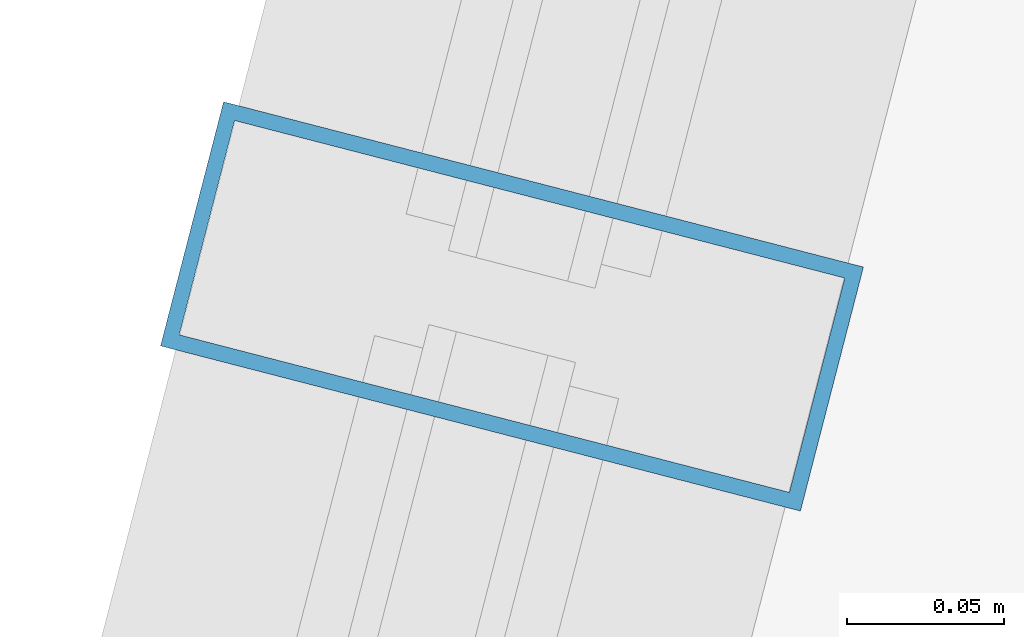
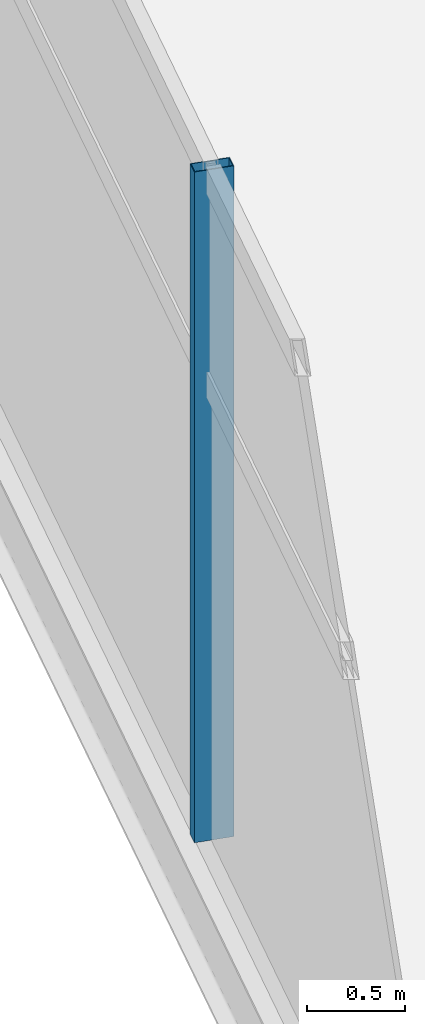
# One storey, part 50 of 184: 1 member, 1 element without a shape of its own.
"""IFC4 building model written with IfcOpenShell, lengths in metres."""

import ifcopenshell
import ifcopenshell.guid

model = None  # the IFC model being written
_history = None  # IfcOwnerHistory: only IFC2X3 demands one
_inside = {}  # id of a spatial element -> (the spatial element, [elements in it])
_under = {}  # id of a project, library or spatial element -> (it, [spatial elements below it])
_declared = {}  # id of a project -> (the project, [libraries it declares])
_typed = {}  # id of a type object -> (the type object, [elements of that type])
_made_of = {}  # id of a material, layer set ... -> (it, [elements and type objects made of it])


def new_model(schema):
    """Start an empty IFC model of exactly this schema.

    Asked for "IFC4X3", IfcOpenShell would pick the latest addendum, in which some entities
    have other attributes; the version numbers below select the first issue.
    IFC2X3 requires an IfcOwnerHistory on every rooted entity: one is made here for all.
    """
    global model, _history
    if schema == "IFC4X3":
        model = ifcopenshell.file(schema_version=(4, 3, 0, 0))
    else:
        model = ifcopenshell.file(schema=schema)
    _inside.clear()
    _under.clear()
    _declared.clear()
    _typed.clear()
    _made_of.clear()
    _history = None
    if model.schema == "IFC2X3":
        org = make("IfcOrganization", Name="unknown")
        user = make(
            "IfcPersonAndOrganization",
            ThePerson=make("IfcPerson", FamilyName="unknown"),
            TheOrganization=org,
        )
        app = make(
            "IfcApplication",
            ApplicationDeveloper=org,
            Version="unknown",
            ApplicationFullName="unknown",
            ApplicationIdentifier="unknown",
        )
        _history = make(
            "IfcOwnerHistory",
            OwningUser=user,
            OwningApplication=app,
            ChangeAction="ADDED",
            CreationDate=0,
        )
    return model


def make(cls, **values):
    """One entity of the class cls with the attributes given. An attribute that is None is left unset."""
    return model.create_entity(
        cls, **{name: value for name, value in values.items() if value is not None}
    )


def rooted(cls, **values):
    """An entity with a GlobalId (a new one), such as an element, a storey or a relation."""
    return make(cls, GlobalId=ifcopenshell.guid.new(), OwnerHistory=_history, **values)


def si_unit(unit_type, name, prefix=None):
    """IfcSIUnit, for example si_unit("LENGTHUNIT", "METRE", prefix="MILLI")."""
    return make("IfcSIUnit", UnitType=unit_type, Prefix=prefix, Name=name)


def assignment(units):
    """IfcUnitAssignment: the units of a project."""
    return None if units is None else make("IfcUnitAssignment", Units=units)


def point(xyz):
    """IfcCartesianPoint."""
    return None if xyz is None else make("IfcCartesianPoint", Coordinates=xyz)


def direction(xyz):
    """IfcDirection."""
    return None if xyz is None else make("IfcDirection", DirectionRatios=xyz)


def frame(location, z_axis=None, x_axis=None):
    """IfcAxis2Placement3D, a coordinate frame: its origin and axes. An axis left out is left unset."""
    return make(
        "IfcAxis2Placement3D",
        Location=point(location),
        Axis=direction(z_axis),
        RefDirection=direction(x_axis),
    )


def frame_2d(location, x_axis=None):
    """IfcAxis2Placement2D, a coordinate frame in the plane: its origin and x axis."""
    return make(
        "IfcAxis2Placement2D", Location=point(location), RefDirection=direction(x_axis)
    )


def origin():
    """The frame at (0, 0, 0) with its axes left unset."""
    return frame((0.0, 0.0, 0.0))


def origin_2d():
    """The frame at (0, 0) in the plane with its x axis left unset."""
    return frame_2d((0.0, 0.0))


def place(relative_to, where):
    """IfcLocalPlacement: puts the frame where relative to a parent placement (None: the world)."""
    return make(
        "IfcLocalPlacement", PlacementRelTo=relative_to, RelativePlacement=where
    )


def context(
    kind, dimensions, precision=None, world=None, true_north=None, identifier=None
):
    """IfcGeometricRepresentationContext, for example the 3D "Model" context."""
    return make(
        "IfcGeometricRepresentationContext",
        ContextIdentifier=identifier,
        ContextType=kind,
        CoordinateSpaceDimension=dimensions,
        Precision=precision,
        WorldCoordinateSystem=world,
        TrueNorth=true_north,
    )


def subcontext(parent, identifier, kind, view, scale=None):
    """IfcGeometricRepresentationSubContext, for example "Body" below "Model"."""
    return make(
        "IfcGeometricRepresentationSubContext",
        ContextIdentifier=identifier,
        ContextType=kind,
        ParentContext=parent,
        TargetScale=scale,
        TargetView=view,
    )


def project(units=None, contexts=None):
    """IfcProject with its units and contexts."""
    return rooted(
        "IfcProject",
        Name="project",
        RepresentationContexts=contexts,
        UnitsInContext=assignment(units),
    )


def spatial(cls, under=None, at=None, **own):
    """A site, building, storey or space (cls), placed at a placement, below another one or the project."""
    s = rooted(cls, ObjectPlacement=at, **own)
    if under is not None:
        _under.setdefault(under.id(), (under, []))[1].append(s)
    return s


def profile(cls, at=None, kind="AREA", **sizes):
    """A parametric profile (cls). Its sizes go by their IFC names, for example OverallWidth=200.0."""
    return make(cls, ProfileType=kind, Position=at, **sizes)


def hollow_rectangle(**sizes):
    """IfcRectangleHollowProfileDef."""
    return profile("IfcRectangleHollowProfileDef", **sizes)


def extrude(swept, where, along, depth):
    """IfcExtrudedAreaSolid: the profile swept, set in the frame where, extruded along a direction by depth."""
    return make(
        "IfcExtrudedAreaSolid",
        SweptArea=swept,
        Position=where,
        ExtrudedDirection=direction(along),
        Depth=depth,
    )


def shape(context_of_items, identifier, shape_type, items):
    """IfcShapeRepresentation: the items that make up one representation, for example the "Body"."""
    return make(
        "IfcShapeRepresentation",
        ContextOfItems=context_of_items,
        RepresentationIdentifier=identifier,
        RepresentationType=shape_type,
        Items=items,
    )


def material(Name=None, Category=None):
    """IfcMaterial."""
    return make("IfcMaterial", Name=Name, Category=Category)


def layer(
    of_material, thickness, ventilated=None, Name=None, Category=None, Priority=None
):
    """IfcMaterialLayer: one layer of a wall or slab, of a material (None: an air gap)."""
    return make(
        "IfcMaterialLayer",
        Material=of_material,
        LayerThickness=thickness,
        IsVentilated=ventilated,
        Name=Name,
        Category=Category,
        Priority=Priority,
    )


def layer_set(layers, Name=None):
    """IfcMaterialLayerSet."""
    return make("IfcMaterialLayerSet", MaterialLayers=layers, LayerSetName=Name)


def material_profile(
    of_material, cross_section, Name=None, Category=None, Priority=None
):
    """IfcMaterialProfile: a cross section and its material."""
    return make(
        "IfcMaterialProfile",
        Name=Name,
        Material=of_material,
        Profile=cross_section,
        Priority=Priority,
        Category=Category,
    )


def profile_set(profiles, Name=None, composite=None):
    """IfcMaterialProfileSet."""
    return make(
        "IfcMaterialProfileSet",
        Name=Name,
        MaterialProfiles=profiles,
        CompositeProfile=composite,
    )


def made_of(thing, what):
    """Note that an element or type object is made of a material, layer set ...; save() writes the relation."""
    if what is not None:
        _made_of.setdefault(what.id(), (what, []))[1].append(thing)
    return thing


def type_object(cls, material=None, **own):
    """A type object (cls), such as IfcWallType, which elements share."""
    return made_of(rooted(cls, **own), material)


def element(
    cls,
    number,
    at=None,
    inside=None,
    cuts=None,
    type_object=None,
    material=None,
    context=None,
    identifier="Body",
    shape_type=None,
    held_by="IfcProductDefinitionShape",
    body=None,
    shapes=None,
    **own,
):
    """One element of the class cls, such as IfcWall. Its Tag is "e" and its number.

    at: its placement. inside: the storey or other place that contains it. cuts: it is an
    opening in that element (IfcRelVoidsElement). A single representation is given by context,
    identifier, shape_type and body (its items); several are given by shapes. held_by: the class
    of the entity that holds the representations. save() writes the other relations.
    """
    e = rooted(cls, Tag="e%d" % number, ObjectPlacement=at, **own)
    if body is not None:
        shapes = [shape(context, identifier, shape_type, body)]
    if shapes is not None:
        e.Representation = make(held_by, Representations=shapes)
    if inside is not None:
        _inside.setdefault(inside.id(), (inside, []))[1].append(e)
    if cuts is not None:
        rooted(
            "IfcRelVoidsElement", RelatingBuildingElement=cuts, RelatedOpeningElement=e
        )
    if type_object is not None:
        _typed.setdefault(type_object.id(), (type_object, []))[1].append(e)
    return made_of(e, material)


def aggregate(whole, parts):
    """IfcRelAggregates: a whole, such as a stair, and the parts it consists of."""
    return rooted("IfcRelAggregates", RelatingObject=whole, RelatedObjects=parts)


def save(model, path):
    """Write the relations noted so far, then the file.

    IfcRelAggregates (storeys below a building ...), IfcRelContainedInSpatialStructure (elements
    in a storey), IfcRelDefinesByType, IfcRelAssociatesMaterial and IfcRelDeclares: one each for
    every whole, place, type object, material and project.
    """
    for whole, parts in _under.values():
        aggregate(whole, parts)
    for where, things in _inside.values():
        rooted(
            "IfcRelContainedInSpatialStructure",
            RelatedElements=things,
            RelatingStructure=where,
        )
    for kind, things in _typed.values():
        rooted("IfcRelDefinesByType", RelatedObjects=things, RelatingType=kind)
    for what, things in _made_of.values():
        rooted("IfcRelAssociatesMaterial", RelatedObjects=things, RelatingMaterial=what)
    for by, libraries in _declared.values():
        rooted("IfcRelDeclares", RelatingContext=by, RelatedDefinitions=libraries)
    model.write(path)


model = new_model("IFC4")

# Units and contexts
model_context = context("Model", 3, precision=1e-05, world=origin(), true_north=direction((0.0, 1.0)))
body_context = subcontext(model_context, "Body", "Model", "MODEL_VIEW")
ifc_project = project(units=[si_unit("LENGTHUNIT", "METRE"), si_unit("AREAUNIT", "SQUARE_METRE"), si_unit("VOLUMEUNIT", "CUBIC_METRE"), si_unit("PLANEANGLEUNIT", "RADIAN"), si_unit("MASSUNIT", "GRAM", prefix="KILO")], contexts=[model_context])

# Site, building, storey
site_placement = place(None, origin())
site = spatial("IfcSite", under=ifc_project, at=site_placement, CompositionType="ELEMENT")
building_placement = place(site_placement, origin())
building = spatial("IfcBuilding", under=site, at=building_placement, Name="Kazemori Nagisa Stadium", CompositionType="ELEMENT")
storey_placement = place(building_placement, frame((0.0, 0.0, 10.5400390625)))
storey = spatial("IfcBuildingStorey", under=building, at=storey_placement, Name="L02", CompositionType="ELEMENT", Elevation=10.5400390625)

# Curtain wall, member
ifc_material_1 = material(Name="Anodised aluminium 6063-T5", Category="aluminium")
ifc_layer = layer(ifc_material_1, 0.2099609375, Name="Anodised aluminium 6063-T5", Category="aluminium")
ifc_layer_set = layer_set([ifc_layer], Name="Anodised aluminium 6063-T5")
curtain_wall_type = type_object("IfcCurtainWallType", Name="CW_L02R3_96", PredefinedType="USERDEFINED", material=ifc_layer_set)
curtain_wall_placement = place(storey_placement, origin())
curtain_wall = element("IfcCurtainWall", 1, at=curtain_wall_placement, inside=storey, type_object=curtain_wall_type, Name="Unitised curtain wall CW-L02R3-96 L02", ObjectType="UNITISED CURTAIN WALL", PredefinedType="USERDEFINED")
ifc_material_2 = material(Name="Aluminium 6063-T5 anodised", Category="aluminium")
ifc_material_profile = material_profile(ifc_material_2, hollow_rectangle(XDim=0.080078125, YDim=0.2099609375, WallThickness=0.0048828125, at=origin_2d()), Name="ALU-MULL-80x210x5")
ifc_profile_set = profile_set([ifc_material_profile], Name="Aluminium 6063-T5 anodised")
member_type = type_object("IfcMemberType", Name="Mullion_M02", PredefinedType="MULLION", material=ifc_profile_set)
member_placement = place(storey_placement, frame((24.821533203125, 127.991943359375, 0.0), z_axis=(0.0, 0.0, 1.0), x_axis=(-0.249964642418, -0.968254965152, 0.0)))
member = element("IfcMember", 2, at=member_placement, type_object=member_type, Name="Curtain wall mullion CW-L02R3-96-M3", PredefinedType="MULLION", context=body_context, shape_type="SweptSolid", body=[
    extrude(hollow_rectangle(XDim=0.080078125, YDim=0.2099609375, WallThickness=0.0048828125, at=origin_2d()), origin(), (0.0, 0.0, 1.0), 4.18994140625),
])
aggregate(curtain_wall, [member])

save(model, "model.ifc")
